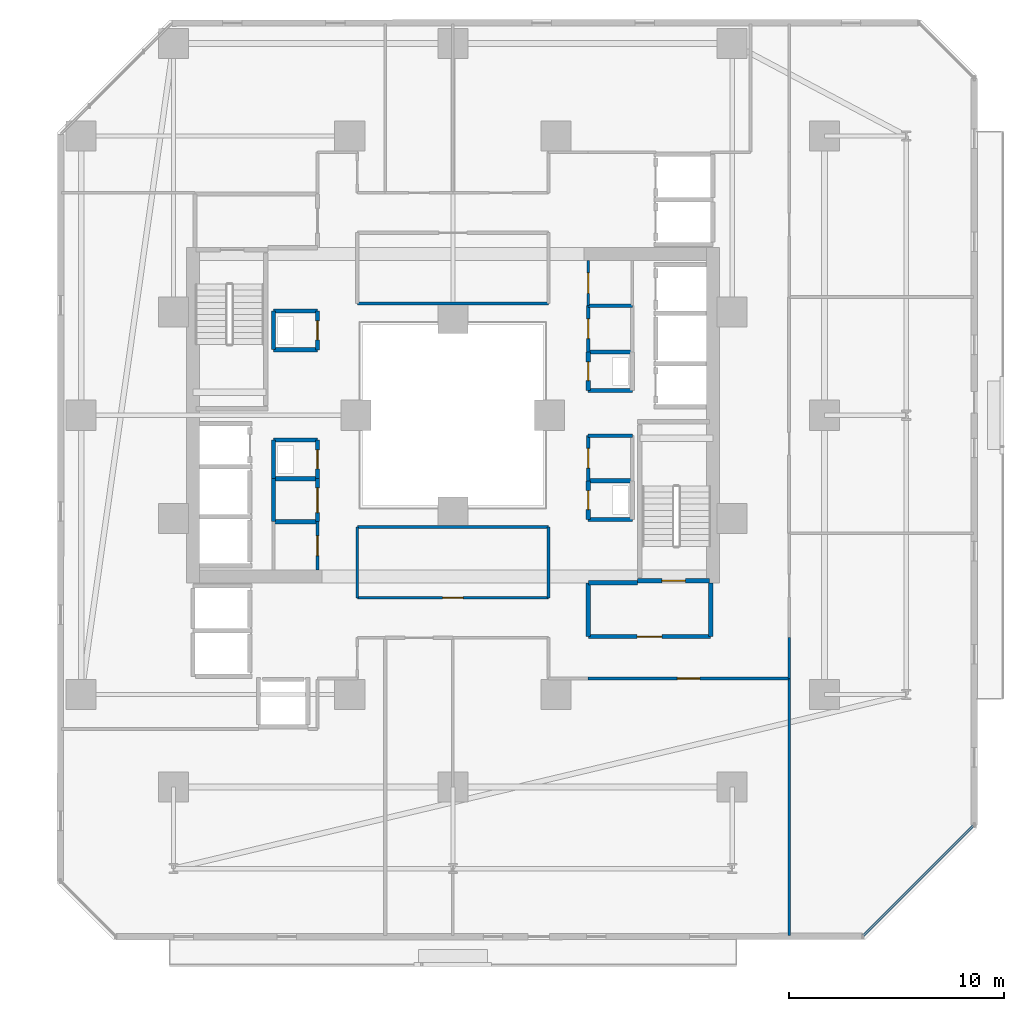
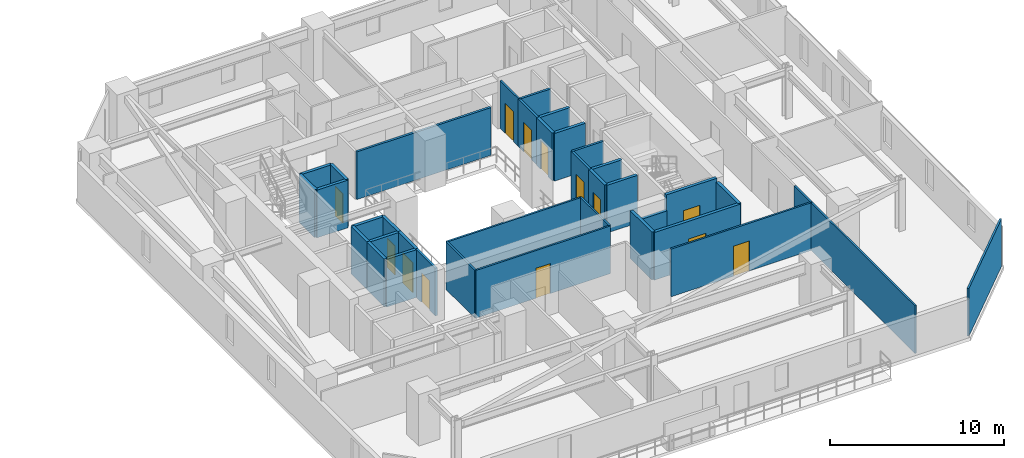
# One storey, part 23 of 33: 37 walls, 13 doors, 13 openings.
"""IFC4 building model written with IfcOpenShell, lengths in metres."""

import ifcopenshell
import ifcopenshell.guid

model = None  # the IFC model being written
_history = None  # IfcOwnerHistory: only IFC2X3 demands one
_inside = {}  # id of a spatial element -> (the spatial element, [elements in it])
_under = {}  # id of a project, library or spatial element -> (it, [spatial elements below it])
_declared = {}  # id of a project -> (the project, [libraries it declares])
_typed = {}  # id of a type object -> (the type object, [elements of that type])
_made_of = {}  # id of a material, layer set ... -> (it, [elements and type objects made of it])


def new_model(schema):
    """Start an empty IFC model of exactly this schema.

    Asked for "IFC4X3", IfcOpenShell would pick the latest addendum, in which some entities
    have other attributes; the version numbers below select the first issue.
    IFC2X3 requires an IfcOwnerHistory on every rooted entity: one is made here for all.
    """
    global model, _history
    if schema == "IFC4X3":
        model = ifcopenshell.file(schema_version=(4, 3, 0, 0))
    else:
        model = ifcopenshell.file(schema=schema)
    _inside.clear()
    _under.clear()
    _declared.clear()
    _typed.clear()
    _made_of.clear()
    _history = None
    if model.schema == "IFC2X3":
        org = make("IfcOrganization", Name="unknown")
        user = make(
            "IfcPersonAndOrganization",
            ThePerson=make("IfcPerson", FamilyName="unknown"),
            TheOrganization=org,
        )
        app = make(
            "IfcApplication",
            ApplicationDeveloper=org,
            Version="unknown",
            ApplicationFullName="unknown",
            ApplicationIdentifier="unknown",
        )
        _history = make(
            "IfcOwnerHistory",
            OwningUser=user,
            OwningApplication=app,
            ChangeAction="ADDED",
            CreationDate=0,
        )
    return model


def make(cls, **values):
    """One entity of the class cls with the attributes given. An attribute that is None is left unset."""
    return model.create_entity(
        cls, **{name: value for name, value in values.items() if value is not None}
    )


def rooted(cls, **values):
    """An entity with a GlobalId (a new one), such as an element, a storey or a relation."""
    return make(cls, GlobalId=ifcopenshell.guid.new(), OwnerHistory=_history, **values)


def si_unit(unit_type, name, prefix=None):
    """IfcSIUnit, for example si_unit("LENGTHUNIT", "METRE", prefix="MILLI")."""
    return make("IfcSIUnit", UnitType=unit_type, Prefix=prefix, Name=name)


def assignment(units):
    """IfcUnitAssignment: the units of a project."""
    return None if units is None else make("IfcUnitAssignment", Units=units)


def point(xyz):
    """IfcCartesianPoint."""
    return None if xyz is None else make("IfcCartesianPoint", Coordinates=xyz)


def direction(xyz):
    """IfcDirection."""
    return None if xyz is None else make("IfcDirection", DirectionRatios=xyz)


def frame(location, z_axis=None, x_axis=None):
    """IfcAxis2Placement3D, a coordinate frame: its origin and axes. An axis left out is left unset."""
    return make(
        "IfcAxis2Placement3D",
        Location=point(location),
        Axis=direction(z_axis),
        RefDirection=direction(x_axis),
    )


def frame_2d(location, x_axis=None):
    """IfcAxis2Placement2D, a coordinate frame in the plane: its origin and x axis."""
    return make(
        "IfcAxis2Placement2D", Location=point(location), RefDirection=direction(x_axis)
    )


def origin():
    """The frame at (0, 0, 0) with its axes left unset."""
    return frame((0.0, 0.0, 0.0))


def place(relative_to, where):
    """IfcLocalPlacement: puts the frame where relative to a parent placement (None: the world)."""
    return make(
        "IfcLocalPlacement", PlacementRelTo=relative_to, RelativePlacement=where
    )


def context(
    kind, dimensions, precision=None, world=None, true_north=None, identifier=None
):
    """IfcGeometricRepresentationContext, for example the 3D "Model" context."""
    return make(
        "IfcGeometricRepresentationContext",
        ContextIdentifier=identifier,
        ContextType=kind,
        CoordinateSpaceDimension=dimensions,
        Precision=precision,
        WorldCoordinateSystem=world,
        TrueNorth=true_north,
    )


def subcontext(parent, identifier, kind, view, scale=None):
    """IfcGeometricRepresentationSubContext, for example "Body" below "Model"."""
    return make(
        "IfcGeometricRepresentationSubContext",
        ContextIdentifier=identifier,
        ContextType=kind,
        ParentContext=parent,
        TargetScale=scale,
        TargetView=view,
    )


def project(units=None, contexts=None):
    """IfcProject with its units and contexts."""
    return rooted(
        "IfcProject",
        Name="project",
        RepresentationContexts=contexts,
        UnitsInContext=assignment(units),
    )


def spatial(cls, under=None, at=None, **own):
    """A site, building, storey or space (cls), placed at a placement, below another one or the project."""
    s = rooted(cls, ObjectPlacement=at, **own)
    if under is not None:
        _under.setdefault(under.id(), (under, []))[1].append(s)
    return s


def profile(cls, at=None, kind="AREA", **sizes):
    """A parametric profile (cls). Its sizes go by their IFC names, for example OverallWidth=200.0."""
    return make(cls, ProfileType=kind, Position=at, **sizes)


def rectangle(**sizes):
    """IfcRectangleProfileDef."""
    return profile("IfcRectangleProfileDef", **sizes)


def extrude(swept, where, along, depth):
    """IfcExtrudedAreaSolid: the profile swept, set in the frame where, extruded along a direction by depth."""
    return make(
        "IfcExtrudedAreaSolid",
        SweptArea=swept,
        Position=where,
        ExtrudedDirection=direction(along),
        Depth=depth,
    )


def shape(context_of_items, identifier, shape_type, items):
    """IfcShapeRepresentation: the items that make up one representation, for example the "Body"."""
    return make(
        "IfcShapeRepresentation",
        ContextOfItems=context_of_items,
        RepresentationIdentifier=identifier,
        RepresentationType=shape_type,
        Items=items,
    )


def material(Name=None, Category=None):
    """IfcMaterial."""
    return make("IfcMaterial", Name=Name, Category=Category)


def layer(
    of_material, thickness, ventilated=None, Name=None, Category=None, Priority=None
):
    """IfcMaterialLayer: one layer of a wall or slab, of a material (None: an air gap)."""
    return make(
        "IfcMaterialLayer",
        Material=of_material,
        LayerThickness=thickness,
        IsVentilated=ventilated,
        Name=Name,
        Category=Category,
        Priority=Priority,
    )


def layer_set(layers, Name=None):
    """IfcMaterialLayerSet."""
    return make("IfcMaterialLayerSet", MaterialLayers=layers, LayerSetName=Name)


def made_of(thing, what):
    """Note that an element or type object is made of a material, layer set ...; save() writes the relation."""
    if what is not None:
        _made_of.setdefault(what.id(), (what, []))[1].append(thing)
    return thing


def type_object(cls, material=None, **own):
    """A type object (cls), such as IfcWallType, which elements share."""
    return made_of(rooted(cls, **own), material)


def element(
    cls,
    number,
    at=None,
    inside=None,
    cuts=None,
    type_object=None,
    material=None,
    context=None,
    identifier="Body",
    shape_type=None,
    held_by="IfcProductDefinitionShape",
    body=None,
    shapes=None,
    **own,
):
    """One element of the class cls, such as IfcWall. Its Tag is "e" and its number.

    at: its placement. inside: the storey or other place that contains it. cuts: it is an
    opening in that element (IfcRelVoidsElement). A single representation is given by context,
    identifier, shape_type and body (its items); several are given by shapes. held_by: the class
    of the entity that holds the representations. save() writes the other relations.
    """
    e = rooted(cls, Tag="e%d" % number, ObjectPlacement=at, **own)
    if body is not None:
        shapes = [shape(context, identifier, shape_type, body)]
    if shapes is not None:
        e.Representation = make(held_by, Representations=shapes)
    if inside is not None:
        _inside.setdefault(inside.id(), (inside, []))[1].append(e)
    if cuts is not None:
        rooted(
            "IfcRelVoidsElement", RelatingBuildingElement=cuts, RelatedOpeningElement=e
        )
    if type_object is not None:
        _typed.setdefault(type_object.id(), (type_object, []))[1].append(e)
    return made_of(e, material)


def fill(opening, filler):
    """IfcRelFillsElement: the door or window that sits in an opening."""
    return rooted(
        "IfcRelFillsElement",
        RelatingOpeningElement=opening,
        RelatedBuildingElement=filler,
    )


def aggregate(whole, parts):
    """IfcRelAggregates: a whole, such as a stair, and the parts it consists of."""
    return rooted("IfcRelAggregates", RelatingObject=whole, RelatedObjects=parts)


def save(model, path):
    """Write the relations noted so far, then the file.

    IfcRelAggregates (storeys below a building ...), IfcRelContainedInSpatialStructure (elements
    in a storey), IfcRelDefinesByType, IfcRelAssociatesMaterial and IfcRelDeclares: one each for
    every whole, place, type object, material and project.
    """
    for whole, parts in _under.values():
        aggregate(whole, parts)
    for where, things in _inside.values():
        rooted(
            "IfcRelContainedInSpatialStructure",
            RelatedElements=things,
            RelatingStructure=where,
        )
    for kind, things in _typed.values():
        rooted("IfcRelDefinesByType", RelatedObjects=things, RelatingType=kind)
    for what, things in _made_of.values():
        rooted("IfcRelAssociatesMaterial", RelatedObjects=things, RelatingMaterial=what)
    for by, libraries in _declared.values():
        rooted("IfcRelDeclares", RelatingContext=by, RelatedDefinitions=libraries)
    model.write(path)


model = new_model("IFC4")

# Units and contexts
model_context = context("Model", 3, precision=1e-05, world=origin(), true_north=direction((0.0, 1.0)))
body_context = subcontext(model_context, "Body", "Model", "MODEL_VIEW")
ifc_project = project(units=[si_unit("LENGTHUNIT", "METRE"), si_unit("AREAUNIT", "SQUARE_METRE"), si_unit("VOLUMEUNIT", "CUBIC_METRE"), si_unit("PLANEANGLEUNIT", "RADIAN"), si_unit("MASSUNIT", "GRAM", prefix="KILO")], contexts=[model_context])

# Site, building, storey
site_placement = place(None, origin())
site = spatial("IfcSite", under=ifc_project, at=site_placement, CompositionType="ELEMENT")
building_placement = place(site_placement, origin())
building = spatial("IfcBuilding", under=site, at=building_placement, Name="Thornwick Lancets Civic Towers", CompositionType="ELEMENT")
storey_placement = place(building_placement, frame((0.0, 0.0, 38.699951171875)))
storey = spatial("IfcBuildingStorey", under=building, at=storey_placement, Name="L09", CompositionType="ELEMENT", Elevation=38.699951171875)

# Wall, opening, door
ifc_material_1 = material(Name="Concrete blockwork C40/50", Category="masonry")
ifc_layer_1 = layer(ifc_material_1, 0.199951171875, Name="Concrete blockwork C40/50")
ifc_layer_set_1 = layer_set([ifc_layer_1], Name="Concrete blockwork C40/50")
wall_type_1 = type_object("IfcWallType", Name="WALL_COMP_200", PredefinedType="STANDARD", material=ifc_layer_set_1)
wall_1_placement = place(storey_placement, frame((94.800048828125, 16.699951171875, 0.0), z_axis=(0.0, 0.0, 1.0), x_axis=(1.0, 0.0, 0.0)))
wall_1 = element("IfcWall", 1, at=wall_1_placement, inside=storey, type_object=wall_type_1, Name="L09 Partition L09-B-FFLOB1 E1", PredefinedType="STANDARD", context=body_context, shape_type="SweptSolid", body=[
    extrude(rectangle(XDim=5.699951171875, YDim=0.199951171875, at=frame_2d((2.85009765625, 0.0))), origin(), (0.0, 0.0, 1.0), 3.340087890625),
])
opening_1_placement = place(wall_1_placement, frame((2.27490234375, 0.0, 0.0)))
opening_1 = element("IfcOpeningElement", 2, at=opening_1_placement, cuts=wall_1, Name="Opening D-L09-0450", PredefinedType="OPENING", context=body_context, shape_type="SweptSolid", body=[
    extrude(rectangle(XDim=1.14990234375, YDim=2.10009765625, at=frame_2d((0.574951171875, 1.050048828125))), frame((0.0, 0.10986328125, 0.0), z_axis=(0.0, -1.0, 0.0), x_axis=(1.0, 0.0, 0.0)), (0.0, 0.0, 1.0), 0.219970703125),
])
ifc_material_2 = material(Name="Glazed fire-resisting steel", Category="steel")
door_type_1 = type_object("IfcDoorType", Name="DOOR_LOBBY_FD60", OperationType="NOTDEFINED", PredefinedType="DOOR", material=ifc_material_2)
door_1_placement = place(opening_1_placement, origin())
door_1 = element("IfcDoor", 3, at=door_1_placement, inside=storey, type_object=door_type_1, Name="L09 East Firefighting Lobby 1 Door", OperationType="SINGLE_SWING_LEFT", OverallHeight=2.10009765625, OverallWidth=1.14990234375, PredefinedType="DOOR", context=body_context, shape_type="SweptSolid", body=[
    extrude(rectangle(XDim=1.14990234375, YDim=2.10009765625, at=frame_2d((0.574951171875, 1.050048828125))), frame((0.0, 0.02490234375, 0.0), z_axis=(0.0, -1.0, 0.0), x_axis=(1.0, 0.0, 0.0)), (0.0, 0.0, 1.0), 0.050048828125),
])
fill(opening_1, door_1)

# Walls
wall_2_placement = place(storey_placement, frame((100.5, 16.699951171875, 0.0), z_axis=(0.0, 0.0, 1.0), x_axis=(0.0, 1.0, 0.0)))
element("IfcWall", 4, at=wall_2_placement, inside=storey, type_object=wall_type_1, Name="L09 Partition L09-B-FFLOB1 E2", PredefinedType="STANDARD", context=body_context, shape_type="SweptSolid", body=[
    extrude(rectangle(XDim=2.5, YDim=0.199951171875, at=frame_2d((1.25, 0.0))), origin(), (0.0, 0.0, 1.0), 3.340087890625),
])
wall_3_placement = place(storey_placement, frame((97.10009765625, 19.199951171875, 0.0), z_axis=(0.0, 0.0, 1.0), x_axis=(-1.0, 0.0, 0.0)))
element("IfcWall", 5, at=wall_3_placement, inside=storey, type_object=wall_type_1, Name="L09 Partition L09-B-FFLOB1 E3", PredefinedType="STANDARD", context=body_context, shape_type="SweptSolid", body=[
    extrude(rectangle(XDim=2.300048828125, YDim=0.199951171875, at=frame_2d((1.14990234375, 0.0))), origin(), (0.0, 0.0, 1.0), 2.545166015625),
])
wall_4_placement = place(storey_placement, frame((94.800048828125, 19.199951171875, 0.0), z_axis=(0.0, 0.0, 1.0), x_axis=(0.0, -1.0, 0.0)))
element("IfcWall", 6, at=wall_4_placement, inside=storey, type_object=wall_type_1, Name="L09 Partition L09-B-FFLOB1 E4", PredefinedType="STANDARD", context=body_context, shape_type="SweptSolid", body=[
    extrude(rectangle(XDim=2.5, YDim=0.199951171875, at=frame_2d((1.25, 0.0))), origin(), (0.0, 0.0, 1.0), 3.340087890625),
])
for number, where, z_axis, x_axis, name in (
    (7, (94.800048828125, 28.14990234375, 0.0), (0.0, 0.0, 1.0), (1.0, 0.0, 0.0), "L09 Partition L09-B-DUCT1 E1"),
    (8, (96.85009765625, 29.949951171875, 0.0), (0.0, 0.0, 1.0), (-1.0, 0.0, 0.0), "L09 Partition L09-B-DUCT1 E3"),
):
    element("IfcWall", number, at=place(storey_placement, frame(where, z_axis=z_axis, x_axis=x_axis)), inside=storey, type_object=wall_type_1, Name=name, PredefinedType="STANDARD", context=body_context, shape_type="SweptSolid", body=[
        extrude(rectangle(XDim=2.050048828125, YDim=0.199951171875, at=frame_2d((1.02490234375, 0.0))), origin(), (0.0, 0.0, 1.0), 3.340087890625),
    ])

# Wall, opening, door
wall_5_placement = place(storey_placement, frame((94.800048828125, 29.949951171875, 0.0), z_axis=(0.0, 0.0, 1.0), x_axis=(0.0, -1.0, 0.0)))
wall_5 = element("IfcWall", 9, at=wall_5_placement, inside=storey, type_object=wall_type_1, Name="L09 Partition L09-B-DUCT1 E4", PredefinedType="STANDARD", context=body_context, shape_type="SweptSolid", body=[
    extrude(rectangle(XDim=1.800048828125, YDim=0.199951171875, at=frame_2d((0.89990234375, 0.0))), origin(), (0.0, 0.0, 1.0), 3.340087890625),
])
opening_2_placement = place(wall_5_placement, frame((0.4599609375, 0.0, 0.0)))
opening_2 = element("IfcOpeningElement", 10, at=opening_2_placement, cuts=wall_5, Name="Opening D-L09-0452", PredefinedType="OPENING", context=body_context, shape_type="SweptSolid", body=[
    extrude(rectangle(XDim=0.8798828125, YDim=2.0400390625, at=frame_2d((0.43994140625, 1.02001953125))), frame((0.0, 0.10986328125, 0.0), z_axis=(0.0, -1.0, 0.0), x_axis=(1.0, 0.0, 0.0)), (0.0, 0.0, 1.0), 0.219970703125),
])
ifc_material_3 = material(Name="Steel riser access doorset", Category="steel")
door_type_2 = type_object("IfcDoorType", Name="DOOR_RISER_850", OperationType="NOTDEFINED", PredefinedType="DOOR", material=ifc_material_3)
door_2_placement = place(opening_2_placement, origin())
door_2 = element("IfcDoor", 11, at=door_2_placement, inside=storey, type_object=door_type_2, Name="L09 East Service Duct 1 Door", OperationType="SINGLE_SWING_LEFT", OverallHeight=2.0400390625, OverallWidth=0.8798828125, PredefinedType="DOOR", context=body_context, shape_type="SweptSolid", body=[
    extrude(rectangle(XDim=0.8798828125, YDim=2.0400390625, at=frame_2d((0.43994140625, 1.02001953125))), frame((0.0, 0.02490234375, 0.0), z_axis=(0.0, -1.0, 0.0), x_axis=(1.0, 0.0, 0.0)), (0.0, 0.0, 1.0), 0.050048828125),
])
fill(opening_2, door_2)

# Walls
for number, where, z_axis, x_axis, name in (
    (12, (94.800048828125, 22.14990234375, 0.0), (0.0, 0.0, 1.0), (1.0, 0.0, 0.0), "L09 Partition L09-B-RISER1 E1"),
    (13, (96.85009765625, 23.949951171875, 0.0), (0.0, 0.0, 1.0), (-1.0, 0.0, 0.0), "L09 Partition L09-B-RISER1 E3"),
):
    element("IfcWall", number, at=place(storey_placement, frame(where, z_axis=z_axis, x_axis=x_axis)), inside=storey, type_object=wall_type_1, Name=name, PredefinedType="STANDARD", context=body_context, shape_type="SweptSolid", body=[
        extrude(rectangle(XDim=2.050048828125, YDim=0.199951171875, at=frame_2d((1.02490234375, 0.0))), origin(), (0.0, 0.0, 1.0), 3.340087890625),
    ])

# Wall, opening, door
wall_6_placement = place(storey_placement, frame((94.800048828125, 23.949951171875, 0.0), z_axis=(0.0, 0.0, 1.0), x_axis=(0.0, -1.0, 0.0)))
wall_6 = element("IfcWall", 14, at=wall_6_placement, inside=storey, type_object=wall_type_1, Name="L09 Partition L09-B-RISER1 E4", PredefinedType="STANDARD", context=body_context, shape_type="SweptSolid", body=[
    extrude(rectangle(XDim=1.800048828125, YDim=0.199951171875, at=frame_2d((0.89990234375, 0.0))), origin(), (0.0, 0.0, 1.0), 3.340087890625),
])
opening_3_placement = place(wall_6_placement, frame((0.4599609375, 0.0, 0.0)))
opening_3 = element("IfcOpeningElement", 15, at=opening_3_placement, cuts=wall_6, Name="Opening D-L09-0453", PredefinedType="OPENING", context=body_context, shape_type="SweptSolid", body=[
    extrude(rectangle(XDim=0.8798828125, YDim=2.0400390625, at=frame_2d((0.43994140625, 1.02001953125))), frame((0.0, 0.10986328125, 0.0), z_axis=(0.0, -1.0, 0.0), x_axis=(1.0, 0.0, 0.0)), (0.0, 0.0, 1.0), 0.219970703125),
])
door_3_placement = place(opening_3_placement, origin())
door_3 = element("IfcDoor", 16, at=door_3_placement, inside=storey, type_object=door_type_2, Name="L09 East Electrical Riser 1 Door", OperationType="SINGLE_SWING_RIGHT", OverallHeight=2.0400390625, OverallWidth=0.8798828125, PredefinedType="DOOR", context=body_context, shape_type="SweptSolid", body=[
    extrude(rectangle(XDim=0.8798828125, YDim=2.0400390625, at=frame_2d((0.43994140625, 1.02001953125))), frame((0.0, 0.02490234375, 0.0), z_axis=(0.0, -1.0, 0.0), x_axis=(1.0, 0.0, 0.0)), (0.0, 0.0, 1.0), 0.050048828125),
])
fill(opening_3, door_3)

# Wall
wall_7_placement = place(storey_placement, frame((80.14990234375, 24.050048828125, 0.0), z_axis=(0.0, 0.0, 1.0), x_axis=(1.0, 0.0, 0.0)))
element("IfcWall", 17, at=wall_7_placement, inside=storey, type_object=wall_type_1, Name="L09 Partition L09-B-DUCT2 E1", PredefinedType="STANDARD", context=body_context, shape_type="SweptSolid", body=[
    extrude(rectangle(XDim=2.050048828125, YDim=0.199951171875, at=frame_2d((1.02490234375, 0.0))), origin(), (0.0, 0.0, 1.0), 3.340087890625),
])

# Wall, opening, door
wall_8_placement = place(storey_placement, frame((82.199951171875, 24.050048828125, 0.0), z_axis=(0.0, 0.0, 1.0), x_axis=(0.0, 1.0, 0.0)))
wall_8 = element("IfcWall", 18, at=wall_8_placement, inside=storey, type_object=wall_type_1, Name="L09 Partition L09-B-DUCT2 E2", PredefinedType="STANDARD", context=body_context, shape_type="SweptSolid", body=[
    extrude(rectangle(XDim=1.800048828125, YDim=0.199951171875, at=frame_2d((0.89990234375, 0.0))), origin(), (0.0, 0.0, 1.0), 3.340087890625),
])
opening_4_placement = place(wall_8_placement, frame((0.4599609375, 0.0, 0.0)))
opening_4 = element("IfcOpeningElement", 19, at=opening_4_placement, cuts=wall_8, Name="Opening D-L09-0454", PredefinedType="OPENING", context=body_context, shape_type="SweptSolid", body=[
    extrude(rectangle(XDim=0.8798828125, YDim=2.0400390625, at=frame_2d((0.43994140625, 1.02001953125))), frame((0.0, 0.10986328125, 0.0), z_axis=(0.0, -1.0, 0.0), x_axis=(1.0, 0.0, 0.0)), (0.0, 0.0, 1.0), 0.219970703125),
])
door_4_placement = place(opening_4_placement, origin())
door_4 = element("IfcDoor", 20, at=door_4_placement, inside=storey, type_object=door_type_2, Name="L09 West Service Duct 2 Door", OperationType="SINGLE_SWING_LEFT", OverallHeight=2.0400390625, OverallWidth=0.8798828125, PredefinedType="DOOR", context=body_context, shape_type="SweptSolid", body=[
    extrude(rectangle(XDim=0.8798828125, YDim=2.0400390625, at=frame_2d((0.43994140625, 1.02001953125))), frame((0.0, 0.02490234375, 0.0), z_axis=(0.0, -1.0, 0.0), x_axis=(1.0, 0.0, 0.0)), (0.0, 0.0, 1.0), 0.050048828125),
])
fill(opening_4, door_4)

# Walls
wall_9_placement = place(storey_placement, frame((82.199951171875, 25.85009765625, 0.0), z_axis=(0.0, 0.0, 1.0), x_axis=(-1.0, 0.0, 0.0)))
element("IfcWall", 21, at=wall_9_placement, inside=storey, type_object=wall_type_1, Name="L09 Partition L09-B-DUCT2 E3", PredefinedType="STANDARD", context=body_context, shape_type="SweptSolid", body=[
    extrude(rectangle(XDim=2.050048828125, YDim=0.199951171875, at=frame_2d((1.02490234375, 0.0))), origin(), (0.0, 0.0, 1.0), 3.340087890625),
])
wall_10_placement = place(storey_placement, frame((80.14990234375, 25.85009765625, 0.0), z_axis=(0.0, 0.0, 1.0), x_axis=(0.0, -1.0, 0.0)))
element("IfcWall", 22, at=wall_10_placement, inside=storey, type_object=wall_type_1, Name="L09 Partition L09-B-DUCT2 E4", PredefinedType="STANDARD", context=body_context, shape_type="SweptSolid", body=[
    extrude(rectangle(XDim=1.800048828125, YDim=0.199951171875, at=frame_2d((0.89990234375, 0.0))), origin(), (0.0, 0.0, 1.0), 3.340087890625),
])
wall_11_placement = place(storey_placement, frame((80.14990234375, 30.050048828125, 0.0), z_axis=(0.0, 0.0, 1.0), x_axis=(1.0, 0.0, 0.0)))
element("IfcWall", 23, at=wall_11_placement, inside=storey, type_object=wall_type_1, Name="L09 Partition L09-B-RISER2 E1", PredefinedType="STANDARD", context=body_context, shape_type="SweptSolid", body=[
    extrude(rectangle(XDim=2.050048828125, YDim=0.199951171875, at=frame_2d((1.02490234375, 0.0))), origin(), (0.0, 0.0, 1.0), 3.340087890625),
])

# Wall, opening, door
wall_12_placement = place(storey_placement, frame((82.199951171875, 30.050048828125, 0.0), z_axis=(0.0, 0.0, 1.0), x_axis=(0.0, 1.0, 0.0)))
wall_12 = element("IfcWall", 24, at=wall_12_placement, inside=storey, type_object=wall_type_1, Name="L09 Partition L09-B-RISER2 E2", PredefinedType="STANDARD", context=body_context, shape_type="SweptSolid", body=[
    extrude(rectangle(XDim=1.800048828125, YDim=0.199951171875, at=frame_2d((0.89990234375, 0.0))), origin(), (0.0, 0.0, 1.0), 3.340087890625),
])
opening_5_placement = place(wall_12_placement, frame((0.4599609375, 0.0, 0.0)))
opening_5 = element("IfcOpeningElement", 25, at=opening_5_placement, cuts=wall_12, Name="Opening D-L09-0455", PredefinedType="OPENING", context=body_context, shape_type="SweptSolid", body=[
    extrude(rectangle(XDim=0.8798828125, YDim=2.0400390625, at=frame_2d((0.43994140625, 1.02001953125))), frame((0.0, 0.10986328125, 0.0), z_axis=(0.0, -1.0, 0.0), x_axis=(1.0, 0.0, 0.0)), (0.0, 0.0, 1.0), 0.219970703125),
])
door_5_placement = place(opening_5_placement, origin())
door_5 = element("IfcDoor", 26, at=door_5_placement, inside=storey, type_object=door_type_2, Name="L09 West Service Riser 2 Door", OperationType="SINGLE_SWING_RIGHT", OverallHeight=2.0400390625, OverallWidth=0.8798828125, PredefinedType="DOOR", context=body_context, shape_type="SweptSolid", body=[
    extrude(rectangle(XDim=0.8798828125, YDim=2.0400390625, at=frame_2d((0.43994140625, 1.02001953125))), frame((0.0, 0.02490234375, 0.0), z_axis=(0.0, -1.0, 0.0), x_axis=(1.0, 0.0, 0.0)), (0.0, 0.0, 1.0), 0.050048828125),
])
fill(opening_5, door_5)

# Walls
wall_13_placement = place(storey_placement, frame((82.199951171875, 31.85009765625, 0.0), z_axis=(0.0, 0.0, 1.0), x_axis=(-1.0, 0.0, 0.0)))
element("IfcWall", 27, at=wall_13_placement, inside=storey, type_object=wall_type_1, Name="L09 Partition L09-B-RISER2 E3", PredefinedType="STANDARD", context=body_context, shape_type="SweptSolid", body=[
    extrude(rectangle(XDim=2.050048828125, YDim=0.199951171875, at=frame_2d((1.02490234375, 0.0))), origin(), (0.0, 0.0, 1.0), 3.340087890625),
])
wall_14_placement = place(storey_placement, frame((80.14990234375, 31.85009765625, 0.0), z_axis=(0.0, 0.0, 1.0), x_axis=(0.0, -1.0, 0.0)))
element("IfcWall", 28, at=wall_14_placement, inside=storey, type_object=wall_type_1, Name="L09 Partition L09-B-RISER2 E4", PredefinedType="STANDARD", context=body_context, shape_type="SweptSolid", body=[
    extrude(rectangle(XDim=1.800048828125, YDim=0.199951171875, at=frame_2d((0.89990234375, 0.0))), origin(), (0.0, 0.0, 1.0), 3.340087890625),
])
wall_15_placement = place(storey_placement, frame((80.14990234375, 22.050048828125, 0.0), z_axis=(0.0, 0.0, 1.0), x_axis=(0.0, 1.0, 0.0)))
element("IfcWall", 29, at=wall_15_placement, inside=storey, type_object=wall_type_1, Name="L09 Partition L09-B-STR E1", PredefinedType="STANDARD", context=body_context, shape_type="SweptSolid", body=[
    extrude(rectangle(XDim=2.0, YDim=0.199951171875, at=frame_2d((1.0, 0.0))), origin(), (0.0, 0.0, 1.0), 3.340087890625),
])

# Wall, opening, door
wall_16_placement = place(storey_placement, frame((82.199951171875, 24.050048828125, 0.0), z_axis=(0.0, 0.0, 1.0), x_axis=(0.0, -1.0, 0.0)))
wall_16 = element("IfcWall", 30, at=wall_16_placement, inside=storey, type_object=wall_type_1, Name="L09 Partition L09-B-STR E3", PredefinedType="STANDARD", context=body_context, shape_type="SweptSolid", body=[
    extrude(rectangle(XDim=2.0, YDim=0.199951171875, at=frame_2d((1.0, 0.0))), origin(), (0.0, 0.0, 1.0), 3.340087890625),
])
opening_6_placement = place(wall_16_placement, frame((0.425048828125, 0.0, 0.0)))
opening_6 = element("IfcOpeningElement", 31, at=opening_6_placement, cuts=wall_16, Name="Opening D-L09-0460", PredefinedType="OPENING", context=body_context, shape_type="SweptSolid", body=[
    extrude(rectangle(XDim=1.14990234375, YDim=2.10009765625, at=frame_2d((0.574951171875, 1.050048828125))), frame((0.0, 0.10986328125, 0.0), z_axis=(0.0, -1.0, 0.0), x_axis=(1.0, 0.0, 0.0)), (0.0, 0.0, 1.0), 0.219970703125),
])
door_6_placement = place(opening_6_placement, origin())
door_6 = element("IfcDoor", 32, at=door_6_placement, inside=storey, type_object=door_type_1, Name="L09 Tower B Core Records Store Door", OperationType="SINGLE_SWING_LEFT", OverallHeight=2.10009765625, OverallWidth=1.14990234375, PredefinedType="DOOR", context=body_context, shape_type="SweptSolid", body=[
    extrude(rectangle(XDim=1.14990234375, YDim=2.10009765625, at=frame_2d((0.574951171875, 1.050048828125))), frame((0.0, 0.02490234375, 0.0), z_axis=(0.0, -1.0, 0.0), x_axis=(1.0, 0.0, 0.0)), (0.0, 0.0, 1.0), 0.050048828125),
])
fill(opening_6, door_6)

# Wall
wall_17_placement = place(storey_placement, frame((82.199951171875, 22.050048828125, 0.0), z_axis=(0.0, 0.0, 1.0), x_axis=(-1.0, 0.0, 0.0)))
element("IfcWall", 33, at=wall_17_placement, inside=storey, type_object=wall_type_1, Name="L09 Partition L09-B-STR E4", PredefinedType="STANDARD", context=body_context, shape_type="SweptSolid", body=[
    extrude(rectangle(XDim=2.050048828125, YDim=0.199951171875, at=frame_2d((1.02490234375, 0.0))), origin(), (0.0, 0.0, 1.0), 3.340087890625),
])

# Wall, opening, door
ifc_material_4 = material(Name="Acoustic gypsum board partition")
ifc_layer_2 = layer(ifc_material_4, 0.1201171875, Name="Acoustic gypsum board partition")
ifc_layer_set_2 = layer_set([ifc_layer_2], Name="Acoustic gypsum board partition")
wall_type_2 = type_object("IfcWallType", Name="WALL_PART_120", PredefinedType="PARTITIONING", material=ifc_layer_set_2)
wall_18_placement = place(storey_placement, frame((94.800048828125, 32.10009765625, 0.0), z_axis=(0.0, 0.0, 1.0), x_axis=(0.0, 1.0, 0.0)))
wall_18 = element("IfcWall", 34, at=wall_18_placement, inside=storey, type_object=wall_type_2, Name="L09 Partition L09-B-ITR E1", PredefinedType="PARTITIONING", context=body_context, shape_type="SweptSolid", body=[
    extrude(rectangle(XDim=2.099853515625, YDim=0.1201171875, at=frame_2d((1.0498046875, 0.0))), origin(), (0.0, 0.0, 1.0), 3.340087890625),
])
opening_7_placement = place(wall_18_placement, frame((0.574951171875, 0.0, 0.0)))
opening_7 = element("IfcOpeningElement", 35, at=opening_7_placement, cuts=wall_18, Name="Opening D-L09-0458", PredefinedType="OPENING", context=body_context, shape_type="SweptSolid", body=[
    extrude(rectangle(XDim=0.949951171875, YDim=2.10009765625, at=frame_2d((0.47509765625, 1.050048828125))), frame((0.0, 0.070068359375, 0.0), z_axis=(0.0, -1.0, 0.0), x_axis=(1.0, 0.0, 0.0)), (0.0, 0.0, 1.0), 0.14013671875),
])
ifc_material_5 = material(Name="European oak acoustic doorset")
door_type_3 = type_object("IfcDoorType", Name="DOOR_OFFICE_950", OperationType="NOTDEFINED", PredefinedType="DOOR", material=ifc_material_5)
door_7_placement = place(opening_7_placement, origin())
door_7 = element("IfcDoor", 36, at=door_7_placement, inside=storey, type_object=door_type_3, Name="L09 Tower B Comms Patch Room Door", OperationType="SINGLE_SWING_LEFT", OverallHeight=2.10009765625, OverallWidth=0.949951171875, PredefinedType="DOOR", context=body_context, shape_type="SweptSolid", body=[
    extrude(rectangle(XDim=0.949951171875, YDim=2.10009765625, at=frame_2d((0.47509765625, 1.050048828125))), frame((0.0, 0.02490234375, 0.0), z_axis=(0.0, -1.0, 0.0), x_axis=(1.0, 0.0, 0.0)), (0.0, 0.0, 1.0), 0.050048828125),
])
fill(opening_7, door_7)

wall_19_placement = place(storey_placement, frame((94.800048828125, 14.75, 0.0), z_axis=(0.0, 0.0, 1.0), x_axis=(1.0, 0.0, 0.0)))
wall_19 = element("IfcWall", 37, at=wall_19_placement, inside=storey, type_object=wall_type_2, Name="L09 Partition L09-B-W1 E3", PredefinedType="PARTITIONING", context=body_context, shape_type="SweptSolid", body=[
    extrude(rectangle(XDim=9.349853515625, YDim=0.1201171875, at=frame_2d((4.6748046875, 0.0))), origin(), (0.0, 0.0, 1.0), 3.340087890625),
])
opening_8_placement = place(wall_19_placement, frame((4.14990234375, 0.0, 0.0)))
opening_8 = element("IfcOpeningElement", 38, at=opening_8_placement, cuts=wall_19, Name="Opening D-L09-0472", PredefinedType="OPENING", context=body_context, shape_type="SweptSolid", body=[
    extrude(rectangle(XDim=1.050048828125, YDim=2.10009765625, at=frame_2d((0.52490234375, 1.050048828125))), frame((0.0, 0.070068359375, 0.0), z_axis=(0.0, -1.0, 0.0), x_axis=(1.0, 0.0, 0.0)), (0.0, 0.0, 1.0), 0.14013671875),
])
ifc_material_6 = material(Name="Glazed European oak executive doorset")
door_type_4 = type_object("IfcDoorType", Name="DOOR_OFFICE_1050", OperationType="NOTDEFINED", PredefinedType="DOOR", material=ifc_material_6)
door_8_placement = place(opening_8_placement, origin())
door_8 = element("IfcDoor", 39, at=door_8_placement, inside=storey, type_object=door_type_4, Name="L09 Tower B Ministry Directorate Office W1 Door", OperationType="SINGLE_SWING_LEFT", OverallHeight=2.10009765625, OverallWidth=1.050048828125, PredefinedType="DOOR", context=body_context, shape_type="SweptSolid", body=[
    extrude(rectangle(XDim=1.050048828125, YDim=2.10009765625, at=frame_2d((0.52490234375, 1.050048828125))), frame((0.0, 0.02490234375, 0.0), z_axis=(0.0, -1.0, 0.0), x_axis=(1.0, 0.0, 0.0)), (0.0, 0.0, 1.0), 0.050048828125),
])
fill(opening_8, door_8)

# Walls
wall_20_placement = place(storey_placement, frame((104.14990234375, 14.75, 0.0), z_axis=(0.0, 0.0, 1.0), x_axis=(0.0, -1.0, 0.0)))
element("IfcWall", 40, at=wall_20_placement, inside=storey, type_object=wall_type_2, Name="L09 Partition L09-B-W1 E4", PredefinedType="PARTITIONING", context=body_context, shape_type="SweptSolid", body=[
    extrude(rectangle(XDim=11.969970703125, YDim=0.1201171875, at=frame_2d((5.98486328125, 0.0))), origin(), (0.0, 0.0, 1.0), 3.340087890625),
])
wall_21_placement = place(storey_placement, frame((84.050048828125, 18.5, 0.0), z_axis=(0.0, 0.0, 1.0), x_axis=(0.0, 1.0, 0.0)))
element("IfcWall", 41, at=wall_21_placement, inside=storey, type_object=wall_type_2, Name="L09 Partition L09-B-ATR-W E1", PredefinedType="PARTITIONING", context=body_context, shape_type="SweptSolid", body=[
    extrude(rectangle(XDim=3.300048828125, YDim=0.1201171875, at=frame_2d((1.64990234375, 0.0))), origin(), (0.0, 0.0, 1.0), 3.340087890625),
])
wall_22_placement = place(storey_placement, frame((84.050048828125, 21.800048828125, 0.0), z_axis=(0.0, 0.0, 1.0), x_axis=(1.0, 0.0, 0.0)))
element("IfcWall", 42, at=wall_22_placement, inside=storey, type_object=wall_type_2, Name="L09 Partition L09-B-ATR-W E2", PredefinedType="PARTITIONING", context=body_context, shape_type="SweptSolid", body=[
    extrude(rectangle(XDim=8.89990234375, YDim=0.1201171875, at=frame_2d((4.449951171875, 0.0))), origin(), (0.0, 0.0, 1.0), 3.340087890625),
])
wall_23_placement = place(storey_placement, frame((92.949951171875, 21.800048828125, 0.0), z_axis=(0.0, 0.0, 1.0), x_axis=(0.0, -1.0, 0.0)))
element("IfcWall", 43, at=wall_23_placement, inside=storey, type_object=wall_type_2, Name="L09 Partition L09-B-ATR-W E3", PredefinedType="PARTITIONING", context=body_context, shape_type="SweptSolid", body=[
    extrude(rectangle(XDim=3.300048828125, YDim=0.1201171875, at=frame_2d((1.64990234375, 0.0))), origin(), (0.0, 0.0, 1.0), 3.340087890625),
])

# Wall, opening, door
wall_24_placement = place(storey_placement, frame((92.949951171875, 18.5, 0.0), z_axis=(0.0, 0.0, 1.0), x_axis=(-1.0, 0.0, 0.0)))
wall_24 = element("IfcWall", 44, at=wall_24_placement, inside=storey, type_object=wall_type_2, Name="L09 Partition L09-B-ATR-W E4", PredefinedType="PARTITIONING", context=body_context, shape_type="SweptSolid", body=[
    extrude(rectangle(XDim=8.89990234375, YDim=0.1201171875, at=frame_2d((4.449951171875, 0.0))), origin(), (0.0, 0.0, 1.0), 3.340087890625),
])
opening_9_placement = place(wall_24_placement, frame((3.97509765625, 0.0, 0.0)))
opening_9 = element("IfcOpeningElement", 45, at=opening_9_placement, cuts=wall_24, Name="Opening D-L09-0479", PredefinedType="OPENING", context=body_context, shape_type="SweptSolid", body=[
    extrude(rectangle(XDim=0.949951171875, YDim=2.10009765625, at=frame_2d((0.47509765625, 1.050048828125))), frame((0.0, 0.070068359375, 0.0), z_axis=(0.0, -1.0, 0.0), x_axis=(1.0, 0.0, 0.0)), (0.0, 0.0, 1.0), 0.14013671875),
])
door_9_placement = place(opening_9_placement, origin())
door_9 = element("IfcDoor", 46, at=door_9_placement, inside=storey, type_object=door_type_3, Name="L09 Tower B West Atrium Study Lounge Door", OperationType="SINGLE_SWING_RIGHT", OverallHeight=2.10009765625, OverallWidth=0.949951171875, PredefinedType="DOOR", context=body_context, shape_type="SweptSolid", body=[
    extrude(rectangle(XDim=0.949951171875, YDim=2.10009765625, at=frame_2d((0.47509765625, 1.050048828125))), frame((0.0, 0.02490234375, 0.0), z_axis=(0.0, -1.0, 0.0), x_axis=(1.0, 0.0, 0.0)), (0.0, 0.0, 1.0), 0.050048828125),
])
fill(opening_9, door_9)

# Walls
wall_25_placement = place(storey_placement, frame((104.14990234375, 14.75, 0.0), z_axis=(0.0, 0.0, 1.0), x_axis=(0.0, 1.0, 0.0)))
element("IfcWall", 47, at=wall_25_placement, inside=storey, type_object=wall_type_2, Name="L09 Partition L09-B-S-OFF1 E3", PredefinedType="PARTITIONING", context=body_context, shape_type="SweptSolid", body=[
    extrude(rectangle(XDim=1.89990234375, YDim=0.1201171875, at=frame_2d((0.949951171875, 0.0))), origin(), (0.0, 0.0, 1.0), 3.340087890625),
])
wall_26_placement = place(storey_placement, frame((112.719970703125, 7.892578125, 0.0), z_axis=(0.0, 0.0, 1.0), x_axis=(-0.707106781187, -0.707106781187, 0.0)))
element("IfcWall", 48, at=wall_26_placement, inside=storey, type_object=wall_type_2, Name="L09 Partition L09-B-S-OFF1 E7", PredefinedType="PARTITIONING", context=body_context, shape_type="SweptSolid", body=[
    extrude(rectangle(XDim=7.230224609375, YDim=0.1201171875, at=frame_2d((3.615234375, 0.0))), origin(), (0.0, 0.0, 1.0), 3.340087890625),
])

# Wall, opening, door
ifc_material_7 = material(Name="Twin-stud acoustic gypsum board")
ifc_layer_3 = layer(ifc_material_7, 0.14990234375, Name="Twin-stud acoustic gypsum board")
ifc_layer_set_3 = layer_set([ifc_layer_3], Name="Twin-stud acoustic gypsum board")
wall_type_3 = type_object("IfcWallType", Name="WALL_PART_150", PredefinedType="PARTITIONING", material=ifc_layer_set_3)
wall_27_placement = place(storey_placement, frame((94.800048828125, 23.949951171875, 0.0), z_axis=(0.0, 0.0, 1.0), x_axis=(0.0, 1.0, 0.0)))
wall_27 = element("IfcWall", 49, at=wall_27_placement, inside=storey, type_object=wall_type_3, Name="L09 Partition L09-B-MWC E1", PredefinedType="PARTITIONING", context=body_context, shape_type="SweptSolid", body=[
    extrude(rectangle(XDim=2.10009765625, YDim=0.14990234375, at=frame_2d((1.050048828125, 0.0))), origin(), (0.0, 0.0, 1.0), 3.340087890625),
])
opening_10_placement = place(wall_27_placement, frame((0.590087890625, 0.0, 0.0)))
opening_10 = element("IfcOpeningElement", 50, at=opening_10_placement, cuts=wall_27, Name="Opening D-L09-0456", PredefinedType="OPENING", context=body_context, shape_type="SweptSolid", body=[
    extrude(rectangle(XDim=0.919921875, YDim=2.080078125, at=frame_2d((0.4599609375, 1.0400390625))), frame((0.0, 0.0849609375, 0.0), z_axis=(0.0, -1.0, 0.0), x_axis=(1.0, 0.0, 0.0)), (0.0, 0.0, 1.0), 0.169921875),
])
ifc_material_8 = material(Name="Moisture-resistant oak doorset")
door_type_5 = type_object("IfcDoorType", Name="DOOR_WC_900", OperationType="NOTDEFINED", PredefinedType="DOOR", material=ifc_material_8)
door_10_placement = place(opening_10_placement, origin())
door_10 = element("IfcDoor", 51, at=door_10_placement, inside=storey, type_object=door_type_5, Name="L09 Tower B Male WC Door", OperationType="SINGLE_SWING_LEFT", OverallHeight=2.080078125, OverallWidth=0.919921875, PredefinedType="DOOR", context=body_context, shape_type="SweptSolid", body=[
    extrude(rectangle(XDim=0.919921875, YDim=2.080078125, at=frame_2d((0.4599609375, 1.0400390625))), frame((0.0, 0.02490234375, 0.0), z_axis=(0.0, -1.0, 0.0), x_axis=(1.0, 0.0, 0.0)), (0.0, 0.0, 1.0), 0.050048828125),
])
fill(opening_10, door_10)

# Wall
wall_28_placement = place(storey_placement, frame((94.800048828125, 26.050048828125, 0.0), z_axis=(0.0, 0.0, 1.0), x_axis=(1.0, 0.0, 0.0)))
element("IfcWall", 52, at=wall_28_placement, inside=storey, type_object=wall_type_3, Name="L09 Partition L09-B-MWC E2", PredefinedType="PARTITIONING", context=body_context, shape_type="SweptSolid", body=[
    extrude(rectangle(XDim=2.050048828125, YDim=0.14990234375, at=frame_2d((1.02490234375, 0.0))), origin(), (0.0, 0.0, 1.0), 3.340087890625),
])

# Wall, opening, door
wall_29_placement = place(storey_placement, frame((94.800048828125, 29.949951171875, 0.0), z_axis=(0.0, 0.0, 1.0), x_axis=(0.0, 1.0, 0.0)))
wall_29 = element("IfcWall", 53, at=wall_29_placement, inside=storey, type_object=wall_type_3, Name="L09 Partition L09-B-FWC E1", PredefinedType="PARTITIONING", context=body_context, shape_type="SweptSolid", body=[
    extrude(rectangle(XDim=2.150146484375, YDim=0.14990234375, at=frame_2d((1.0751953125, 0.0))), origin(), (0.0, 0.0, 1.0), 3.340087890625),
])
opening_11_placement = place(wall_29_placement, frame((0.614990234375, 0.0, 0.0)))
opening_11 = element("IfcOpeningElement", 54, at=opening_11_placement, cuts=wall_29, Name="Opening D-L09-0457", PredefinedType="OPENING", context=body_context, shape_type="SweptSolid", body=[
    extrude(rectangle(XDim=0.919921875, YDim=2.080078125, at=frame_2d((0.4599609375, 1.0400390625))), frame((0.0, 0.0849609375, 0.0), z_axis=(0.0, -1.0, 0.0), x_axis=(1.0, 0.0, 0.0)), (0.0, 0.0, 1.0), 0.169921875),
])
door_11_placement = place(opening_11_placement, origin())
door_11 = element("IfcDoor", 55, at=door_11_placement, inside=storey, type_object=door_type_5, Name="L09 Tower B Female WC Door", OperationType="SINGLE_SWING_RIGHT", OverallHeight=2.080078125, OverallWidth=0.919921875, PredefinedType="DOOR", context=body_context, shape_type="SweptSolid", body=[
    extrude(rectangle(XDim=0.919921875, YDim=2.080078125, at=frame_2d((0.4599609375, 1.0400390625))), frame((0.0, 0.02490234375, 0.0), z_axis=(0.0, -1.0, 0.0), x_axis=(1.0, 0.0, 0.0)), (0.0, 0.0, 1.0), 0.050048828125),
])
fill(opening_11, door_11)

# Wall
wall_30_placement = place(storey_placement, frame((94.800048828125, 32.10009765625, 0.0), z_axis=(0.0, 0.0, 1.0), x_axis=(1.0, 0.0, 0.0)))
element("IfcWall", 56, at=wall_30_placement, inside=storey, type_object=wall_type_3, Name="L09 Partition L09-B-FWC E2", PredefinedType="PARTITIONING", context=body_context, shape_type="SweptSolid", body=[
    extrude(rectangle(XDim=2.050048828125, YDim=0.14990234375, at=frame_2d((1.02490234375, 0.0))), origin(), (0.0, 0.0, 1.0), 3.340087890625),
])

# Wall, opening, door
wall_31_placement = place(storey_placement, frame((82.199951171875, 19.800048828125, 0.0), z_axis=(0.0, 0.0, 1.0), x_axis=(0.0, 1.0, 0.0)))
wall_31 = element("IfcWall", 57, at=wall_31_placement, inside=storey, type_object=wall_type_3, Name="L09 Partition L09-B-AWC E2", PredefinedType="PARTITIONING", context=body_context, shape_type="SweptSolid", body=[
    extrude(rectangle(XDim=2.25, YDim=0.14990234375, at=frame_2d((1.125, 0.0))), origin(), (0.0, 0.0, 1.0), 3.340087890625),
])
opening_12_placement = place(wall_31_placement, frame((0.6650390625, 0.0, 0.0)))
opening_12 = element("IfcOpeningElement", 58, at=opening_12_placement, cuts=wall_31, Name="Opening D-L09-0459", PredefinedType="OPENING", context=body_context, shape_type="SweptSolid", body=[
    extrude(rectangle(XDim=0.919921875, YDim=2.080078125, at=frame_2d((0.4599609375, 1.0400390625))), frame((0.0, 0.0849609375, 0.0), z_axis=(0.0, -1.0, 0.0), x_axis=(1.0, 0.0, 0.0)), (0.0, 0.0, 1.0), 0.169921875),
])
door_12_placement = place(opening_12_placement, origin())
door_12 = element("IfcDoor", 59, at=door_12_placement, inside=storey, type_object=door_type_5, Name="L09 Tower B Accessible WC Door", OperationType="SINGLE_SWING_RIGHT", OverallHeight=2.080078125, OverallWidth=0.919921875, PredefinedType="DOOR", context=body_context, shape_type="SweptSolid", body=[
    extrude(rectangle(XDim=0.919921875, YDim=2.080078125, at=frame_2d((0.4599609375, 1.0400390625))), frame((0.0, 0.02490234375, 0.0), z_axis=(0.0, -1.0, 0.0), x_axis=(1.0, 0.0, 0.0)), (0.0, 0.0, 1.0), 0.050048828125),
])
fill(opening_12, door_12)

# Wall
wall_32_placement = place(storey_placement, frame((92.949951171875, 32.199951171875, 0.0), z_axis=(0.0, 0.0, 1.0), x_axis=(-1.0, 0.0, 0.0)))
element("IfcWall", 60, at=wall_32_placement, inside=storey, type_object=wall_type_3, Name="L09 Partition L09-B-ATR-E E4", PredefinedType="PARTITIONING", context=body_context, shape_type="SweptSolid", body=[
    extrude(rectangle(XDim=8.89990234375, YDim=0.14990234375, at=frame_2d((4.449951171875, 0.0))), origin(), (0.0, 0.0, 1.0), 3.340087890625),
])

# Wall, opening, door
ifc_material_9 = material(Name="Concrete C40/50", Category="concrete")
ifc_layer_4 = layer(ifc_material_9, 0.199951171875, Name="Concrete C40/50")
ifc_layer_set_4 = layer_set([ifc_layer_4], Name="Concrete C40/50")
wall_type_4 = type_object("IfcWallType", Name="WALL_SHAFT_200", PredefinedType="SHEAR", material=ifc_layer_set_4)
wall_33_placement = place(storey_placement, frame((100.449951171875, 19.300048828125, 0.0), z_axis=(0.0, 0.0, 1.0), x_axis=(-1.0, 0.0, 0.0)))
wall_33 = element("IfcWall", 61, at=wall_33_placement, inside=storey, type_object=wall_type_4, Name="L09 ST-B1 Fire Stair Core Wall NEAR", PredefinedType="SHEAR", context=body_context, shape_type="SweptSolid", body=[
    extrude(rectangle(XDim=3.349853515625, YDim=0.199951171875, at=frame_2d((1.6748046875, 0.0))), origin(), (0.0, 0.0, 1.0), 3.60009765625),
])
opening_13_placement = place(wall_33_placement, frame((1.125, 0.0, 0.0)))
opening_13 = element("IfcOpeningElement", 62, at=opening_13_placement, cuts=wall_33, Name="Opening D-ST-B1-L09", PredefinedType="OPENING", context=body_context, shape_type="SweptSolid", body=[
    extrude(rectangle(XDim=1.10009765625, YDim=2.10009765625, at=frame_2d((0.550048828125, 1.050048828125))), frame((0.0, 0.10986328125, 0.0), z_axis=(0.0, -1.0, 0.0), x_axis=(1.0, 0.0, 0.0)), (0.0, 0.0, 1.0), 0.219970703125),
])
ifc_material_10 = material(Name="Fire-resisting steel and hardwood", Category="steel")
door_type_6 = type_object("IfcDoorType", Name="DOOR_STAIR_FD60", OperationType="NOTDEFINED", PredefinedType="DOOR", material=ifc_material_10)
door_13_placement = place(opening_13_placement, origin())
door_13 = element("IfcDoor", 63, at=door_13_placement, inside=storey, type_object=door_type_6, Name="L09 ST-B1 Exit Stair Door", OperationType="SINGLE_SWING_RIGHT", OverallHeight=2.10009765625, OverallWidth=1.10009765625, PredefinedType="DOOR", context=body_context, shape_type="SweptSolid", body=[
    extrude(rectangle(XDim=1.10009765625, YDim=2.10009765625, at=frame_2d((0.550048828125, 1.050048828125))), frame((0.0, 0.02490234375, 0.0), z_axis=(0.0, -1.0, 0.0), x_axis=(1.0, 0.0, 0.0)), (0.0, 0.0, 1.0), 0.050048828125),
])
fill(opening_13, door_13)

save(model, "model.ifc")
